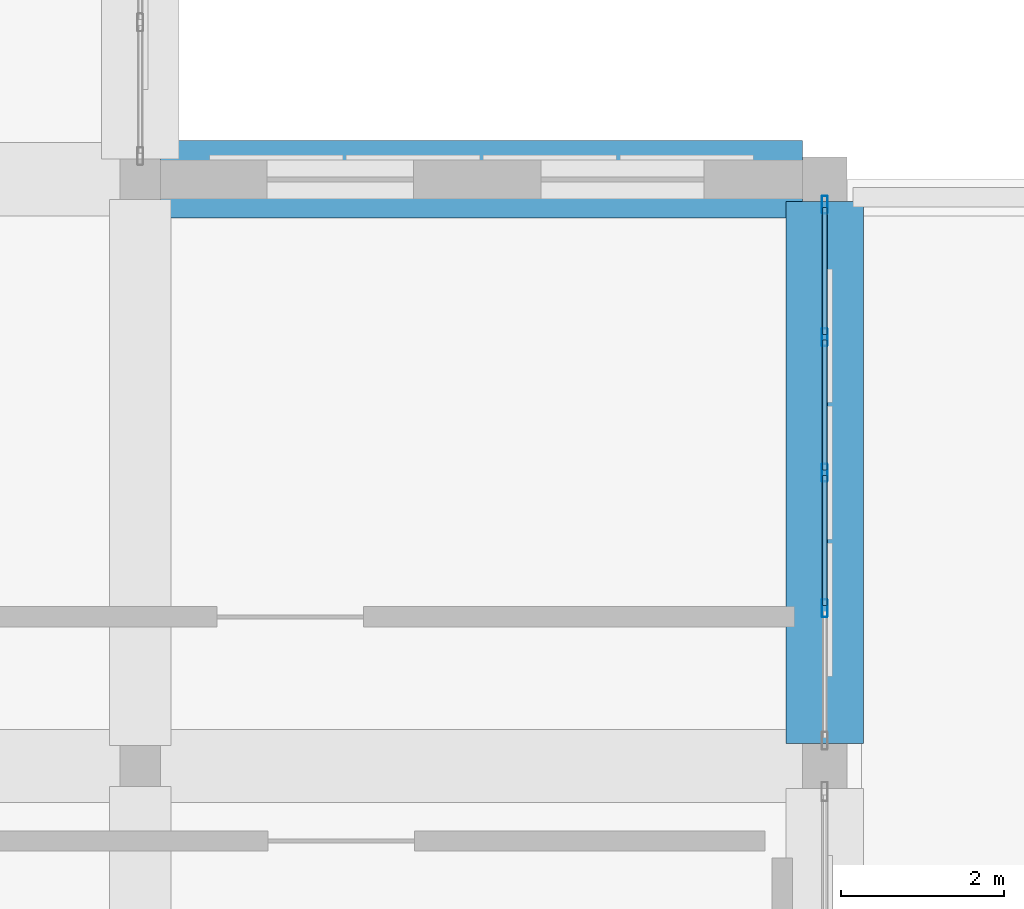
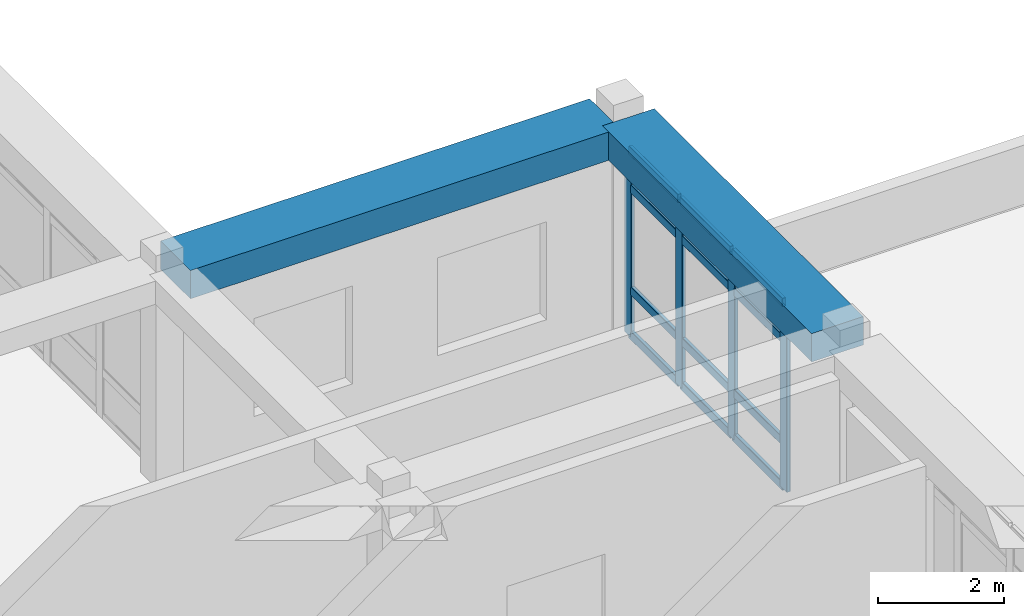
# One storey, part 48 of 111: 16 members, 2 beams, 1 element without a shape of its own.
"""IFC4 building model written with IfcOpenShell, lengths in metres."""

from ifc_helpers import new_model, si_unit, derived_unit, direction, frame, origin, origin_2d, place, context, subcontext, project, spatial, rectangle, hollow_rectangle, extrude, material, material_profile, profile_set, type_object, element, aggregate, save


model = new_model("IFC4")

# Units and contexts
model_context = context("Model", 3, precision=1e-05, world=origin(), true_north=direction((0.0, 1.0)))
body_context = subcontext(model_context, "Body", "Model", "MODEL_VIEW")
ifc_project = project(units=[si_unit("LENGTHUNIT", "METRE"), si_unit("AREAUNIT", "SQUARE_METRE"), si_unit("VOLUMEUNIT", "CUBIC_METRE"), si_unit("PLANEANGLEUNIT", "RADIAN"), si_unit("MASSUNIT", "GRAM", prefix="KILO"), derived_unit("THERMALTRANSMITTANCEUNIT", [(si_unit("POWERUNIT", "WATT"), 1), (si_unit("LENGTHUNIT", "METRE"), -2), (si_unit("THERMODYNAMICTEMPERATUREUNIT", "KELVIN"), -1)])], contexts=[model_context])

# Site, building, storey
site_placement = place(None, origin())
site = spatial("IfcSite", under=ifc_project, at=site_placement, CompositionType="ELEMENT")
building_placement = place(site_placement, origin())
building = spatial("IfcBuilding", under=site, at=building_placement, Name="Veybourne Emporium", CompositionType="ELEMENT")
storey_placement = place(building_placement, frame((0.0, 0.0, 9.89990234375)))
storey = spatial("IfcBuildingStorey", under=building, at=storey_placement, Name="L02", CompositionType="ELEMENT", Elevation=9.89990234375)

# Curtain wall, members
ifc_material_1 = material(Name="Patinated Architectural Bronze", Category="bronze")
curtain_wall_type = type_object("IfcCurtainWallType", Name="CWSystem_CWS-04", PredefinedType="NOTDEFINED", material=ifc_material_1)
curtain_wall_placement = place(storey_placement, origin())
curtain_wall = element("IfcCurtainWall", 1, at=curtain_wall_placement, inside=storey, type_object=curtain_wall_type, Name="L02 bronze glazed curtain wall CWS-04 (075)", PredefinedType="NOTDEFINED")
ifc_material_profile_1 = material_profile(ifc_material_1, hollow_rectangle(XDim=0.070068359375, YDim=0.219970703125, WallThickness=0.0048828125, InnerFilletRadius=0.007568359375, OuterFilletRadius=0.012451171875, at=origin_2d()), Name="CWM 70x220x5")
ifc_profile_set_1 = profile_set([ifc_material_profile_1], Name="Patinated Architectural Bronze")
member_type_1 = type_object("IfcMemberType", Name="CWMullion_CW-M4", PredefinedType="MULLION", material=ifc_profile_set_1)
member_1_placement = place(storey_placement, frame((151.199951171875, 21.2900390625, 0.0), z_axis=(0.0, 0.0, 1.0), x_axis=(1.0, 0.0, 0.0)))
member_1 = element("IfcMember", 2, at=member_1_placement, type_object=member_type_1, Name="CWS-04 mullion 1", PredefinedType="MULLION", context=body_context, shape_type="SweptSolid", body=[
    extrude(hollow_rectangle(XDim=0.070068359375, YDim=0.219970703125, WallThickness=0.0048828125, InnerFilletRadius=0.007568359375, OuterFilletRadius=0.012451171875, at=origin_2d()), origin(), (0.0, 0.0, 1.0), 3.630126953125),
])
member_2_placement = place(storey_placement, frame((151.199951171875, 19.66259765625, 0.0), z_axis=(0.0, 0.0, 1.0), x_axis=(1.0, 0.0, 0.0)))
member_2 = element("IfcMember", 3, at=member_2_placement, type_object=member_type_1, Name="CWS-04 mullion 2", PredefinedType="MULLION", context=body_context, shape_type="SweptSolid", body=[
    extrude(hollow_rectangle(XDim=0.070068359375, YDim=0.219970703125, WallThickness=0.0048828125, InnerFilletRadius=0.007568359375, OuterFilletRadius=0.012451171875, at=origin_2d()), origin(), (0.0, 0.0, 1.0), 3.630126953125),
])
member_3_placement = place(storey_placement, frame((151.199951171875, 18.0, 0.0), z_axis=(0.0, 0.0, 1.0), x_axis=(1.0, 0.0, 0.0)))
member_3 = element("IfcMember", 4, at=member_3_placement, type_object=member_type_1, Name="CWS-04 mullion 3", PredefinedType="MULLION", context=body_context, shape_type="SweptSolid", body=[
    extrude(hollow_rectangle(XDim=0.070068359375, YDim=0.219970703125, WallThickness=0.0048828125, InnerFilletRadius=0.007568359375, OuterFilletRadius=0.012451171875, at=origin_2d()), origin(), (0.0, 0.0, 1.0), 3.630126953125),
])
member_4_placement = place(storey_placement, frame((151.199951171875, 16.33740234375, 0.0), z_axis=(0.0, 0.0, 1.0), x_axis=(1.0, 0.0, 0.0)))
member_4 = element("IfcMember", 5, at=member_4_placement, type_object=member_type_1, Name="CWS-04 mullion 4", PredefinedType="MULLION", context=body_context, shape_type="SweptSolid", body=[
    extrude(hollow_rectangle(XDim=0.070068359375, YDim=0.219970703125, WallThickness=0.0048828125, InnerFilletRadius=0.007568359375, OuterFilletRadius=0.012451171875, at=origin_2d()), origin(), (0.0, 0.0, 1.0), 3.630126953125),
])
ifc_material_profile_2 = material_profile(ifc_material_1, hollow_rectangle(XDim=0.070068359375, YDim=0.169921875, WallThickness=0.0048828125, InnerFilletRadius=0.007568359375, OuterFilletRadius=0.012451171875, at=origin_2d()), Name="CWT 70x170x5")
ifc_profile_set_2 = profile_set([ifc_material_profile_2], Name="Patinated Architectural Bronze")
member_type_2 = type_object("IfcMemberType", Name="CWTransom_CW-T4", PredefinedType="NOTDEFINED", material=ifc_profile_set_2)
member_5_placement = place(storey_placement, frame((151.199951171875, 21.2548828125, 0.03515625), z_axis=(0.0, -1.0, 0.0), x_axis=(1.0, 0.0, 0.0)))
member_5 = element("IfcMember", 6, at=member_5_placement, type_object=member_type_2, Name="CWS-04 transom 1.1", ObjectType="TRANSOM", PredefinedType="USERDEFINED", context=body_context, shape_type="SweptSolid", body=[
    extrude(hollow_rectangle(XDim=0.070068359375, YDim=0.169921875, WallThickness=0.0048828125, InnerFilletRadius=0.007568359375, OuterFilletRadius=0.012451171875, at=origin_2d()), origin(), (0.0, 0.0, 1.0), 1.557373046875),
])
member_6_placement = place(storey_placement, frame((151.199951171875, 21.2548828125, 0.900146484375), z_axis=(0.0, -1.0, 0.0), x_axis=(1.0, 0.0, 0.0)))
member_6 = element("IfcMember", 7, at=member_6_placement, type_object=member_type_2, Name="CWS-04 transom 1.2", ObjectType="TRANSOM", PredefinedType="USERDEFINED", context=body_context, shape_type="SweptSolid", body=[
    extrude(hollow_rectangle(XDim=0.070068359375, YDim=0.169921875, WallThickness=0.0048828125, InnerFilletRadius=0.007568359375, OuterFilletRadius=0.012451171875, at=origin_2d()), origin(), (0.0, 0.0, 1.0), 1.557373046875),
])
member_7_placement = place(storey_placement, frame((151.199951171875, 21.2548828125, 2.880126953125), z_axis=(0.0, -1.0, 0.0), x_axis=(1.0, 0.0, 0.0)))
member_7 = element("IfcMember", 8, at=member_7_placement, type_object=member_type_2, Name="CWS-04 transom 1.3", ObjectType="TRANSOM", PredefinedType="USERDEFINED", context=body_context, shape_type="SweptSolid", body=[
    extrude(hollow_rectangle(XDim=0.070068359375, YDim=0.169921875, WallThickness=0.0048828125, InnerFilletRadius=0.007568359375, OuterFilletRadius=0.012451171875, at=origin_2d()), origin(), (0.0, 0.0, 1.0), 1.557373046875),
])
member_8_placement = place(storey_placement, frame((151.199951171875, 21.2548828125, 3.59521484375), z_axis=(0.0, -1.0, 0.0), x_axis=(1.0, 0.0, 0.0)))
member_8 = element("IfcMember", 9, at=member_8_placement, type_object=member_type_2, Name="CWS-04 transom 1.4", ObjectType="TRANSOM", PredefinedType="USERDEFINED", context=body_context, shape_type="SweptSolid", body=[
    extrude(hollow_rectangle(XDim=0.070068359375, YDim=0.169921875, WallThickness=0.0048828125, InnerFilletRadius=0.007568359375, OuterFilletRadius=0.012451171875, at=origin_2d()), origin(), (0.0, 0.0, 1.0), 1.557373046875),
])
member_9_placement = place(storey_placement, frame((151.199951171875, 19.62744140625, 0.03515625), z_axis=(0.0, -1.0, 0.0), x_axis=(1.0, 0.0, 0.0)))
member_9 = element("IfcMember", 10, at=member_9_placement, type_object=member_type_2, Name="CWS-04 transom 2.1", ObjectType="TRANSOM", PredefinedType="USERDEFINED", context=body_context, shape_type="SweptSolid", body=[
    extrude(hollow_rectangle(XDim=0.070068359375, YDim=0.169921875, WallThickness=0.0048828125, InnerFilletRadius=0.007568359375, OuterFilletRadius=0.012451171875, at=origin_2d()), origin(), (0.0, 0.0, 1.0), 1.592529296875),
])
member_10_placement = place(storey_placement, frame((151.199951171875, 19.62744140625, 0.900146484375), z_axis=(0.0, -1.0, 0.0), x_axis=(1.0, 0.0, 0.0)))
member_10 = element("IfcMember", 11, at=member_10_placement, type_object=member_type_2, Name="CWS-04 transom 2.2", ObjectType="TRANSOM", PredefinedType="USERDEFINED", context=body_context, shape_type="SweptSolid", body=[
    extrude(hollow_rectangle(XDim=0.070068359375, YDim=0.169921875, WallThickness=0.0048828125, InnerFilletRadius=0.007568359375, OuterFilletRadius=0.012451171875, at=origin_2d()), origin(), (0.0, 0.0, 1.0), 1.592529296875),
])
member_11_placement = place(storey_placement, frame((151.199951171875, 19.62744140625, 2.880126953125), z_axis=(0.0, -1.0, 0.0), x_axis=(1.0, 0.0, 0.0)))
member_11 = element("IfcMember", 12, at=member_11_placement, type_object=member_type_2, Name="CWS-04 transom 2.3", ObjectType="TRANSOM", PredefinedType="USERDEFINED", context=body_context, shape_type="SweptSolid", body=[
    extrude(hollow_rectangle(XDim=0.070068359375, YDim=0.169921875, WallThickness=0.0048828125, InnerFilletRadius=0.007568359375, OuterFilletRadius=0.012451171875, at=origin_2d()), origin(), (0.0, 0.0, 1.0), 1.592529296875),
])
member_12_placement = place(storey_placement, frame((151.199951171875, 19.62744140625, 3.59521484375), z_axis=(0.0, -1.0, 0.0), x_axis=(1.0, 0.0, 0.0)))
member_12 = element("IfcMember", 13, at=member_12_placement, type_object=member_type_2, Name="CWS-04 transom 2.4", ObjectType="TRANSOM", PredefinedType="USERDEFINED", context=body_context, shape_type="SweptSolid", body=[
    extrude(hollow_rectangle(XDim=0.070068359375, YDim=0.169921875, WallThickness=0.0048828125, InnerFilletRadius=0.007568359375, OuterFilletRadius=0.012451171875, at=origin_2d()), origin(), (0.0, 0.0, 1.0), 1.592529296875),
])
member_13_placement = place(storey_placement, frame((151.199951171875, 17.965087890625, 0.03515625), z_axis=(0.0, -1.0, 0.0), x_axis=(1.0, 0.0, 0.0)))
member_13 = element("IfcMember", 14, at=member_13_placement, type_object=member_type_2, Name="CWS-04 transom 3.1", ObjectType="TRANSOM", PredefinedType="USERDEFINED", context=body_context, shape_type="SweptSolid", body=[
    extrude(hollow_rectangle(XDim=0.070068359375, YDim=0.169921875, WallThickness=0.0048828125, InnerFilletRadius=0.007568359375, OuterFilletRadius=0.012451171875, at=origin_2d()), origin(), (0.0, 0.0, 1.0), 1.592529296875),
])
member_14_placement = place(storey_placement, frame((151.199951171875, 17.965087890625, 0.900146484375), z_axis=(0.0, -1.0, 0.0), x_axis=(1.0, 0.0, 0.0)))
member_14 = element("IfcMember", 15, at=member_14_placement, type_object=member_type_2, Name="CWS-04 transom 3.2", ObjectType="TRANSOM", PredefinedType="USERDEFINED", context=body_context, shape_type="SweptSolid", body=[
    extrude(hollow_rectangle(XDim=0.070068359375, YDim=0.169921875, WallThickness=0.0048828125, InnerFilletRadius=0.007568359375, OuterFilletRadius=0.012451171875, at=origin_2d()), origin(), (0.0, 0.0, 1.0), 1.592529296875),
])
member_15_placement = place(storey_placement, frame((151.199951171875, 17.965087890625, 2.880126953125), z_axis=(0.0, -1.0, 0.0), x_axis=(1.0, 0.0, 0.0)))
member_15 = element("IfcMember", 16, at=member_15_placement, type_object=member_type_2, Name="CWS-04 transom 3.3", ObjectType="TRANSOM", PredefinedType="USERDEFINED", context=body_context, shape_type="SweptSolid", body=[
    extrude(hollow_rectangle(XDim=0.070068359375, YDim=0.169921875, WallThickness=0.0048828125, InnerFilletRadius=0.007568359375, OuterFilletRadius=0.012451171875, at=origin_2d()), origin(), (0.0, 0.0, 1.0), 1.592529296875),
])
member_16_placement = place(storey_placement, frame((151.199951171875, 17.965087890625, 3.59521484375), z_axis=(0.0, -1.0, 0.0), x_axis=(1.0, 0.0, 0.0)))
member_16 = element("IfcMember", 17, at=member_16_placement, type_object=member_type_2, Name="CWS-04 transom 3.4", ObjectType="TRANSOM", PredefinedType="USERDEFINED", context=body_context, shape_type="SweptSolid", body=[
    extrude(hollow_rectangle(XDim=0.070068359375, YDim=0.169921875, WallThickness=0.0048828125, InnerFilletRadius=0.007568359375, OuterFilletRadius=0.012451171875, at=origin_2d()), origin(), (0.0, 0.0, 1.0), 1.592529296875),
])
aggregate(curtain_wall, [member_1, member_2, member_3, member_4, member_5, member_6, member_7, member_8, member_9, member_10, member_11, member_12, member_13, member_14, member_15, member_16])

# Beams
ifc_material_2 = material(Name="Concrete C32/40", Category="concrete")
ifc_material_profile_3 = material_profile(ifc_material_2, rectangle(XDim=0.949951171875, YDim=0.550048828125, at=origin_2d()), Name="RC 950x550")
ifc_profile_set_3 = profile_set([ifc_material_profile_3], Name="Concrete C32/40")
beam_type = type_object("IfcBeamType", Name="RCBeam_EB-01", PredefinedType="SPANDREL", material=ifc_profile_set_3)
beam_1_placement = place(storey_placement, frame((143.050048828125, 21.60009765625, 3.905029296875), z_axis=(1.0, 0.0, 0.0), x_axis=(0.0, 1.0, 0.0)))
element("IfcBeam", 18, at=beam_1_placement, inside=storey, type_object=beam_type, Name="L02 X-grid beam EB-01 (17,3)", PredefinedType="SPANDREL", context=body_context, shape_type="SweptSolid", body=[
    extrude(rectangle(XDim=0.949951171875, YDim=0.550048828125, at=origin_2d()), origin(), (0.0, 0.0, 1.0), 7.875),
])
beam_2_placement = place(storey_placement, frame((151.199951171875, 14.675048828125, 3.905029296875), z_axis=(0.0, 1.0, 0.0), x_axis=(-1.0, 0.0, 0.0)))
element("IfcBeam", 19, at=beam_2_placement, inside=storey, type_object=beam_type, Name="L02 Y-grid beam EB-01 (18,2)", PredefinedType="SPANDREL", context=body_context, shape_type="SweptSolid", body=[
    extrude(rectangle(XDim=0.949951171875, YDim=0.550048828125, at=origin_2d()), origin(), (0.0, 0.0, 1.0), 6.64990234375),
])

save(model, "model.ifc")
